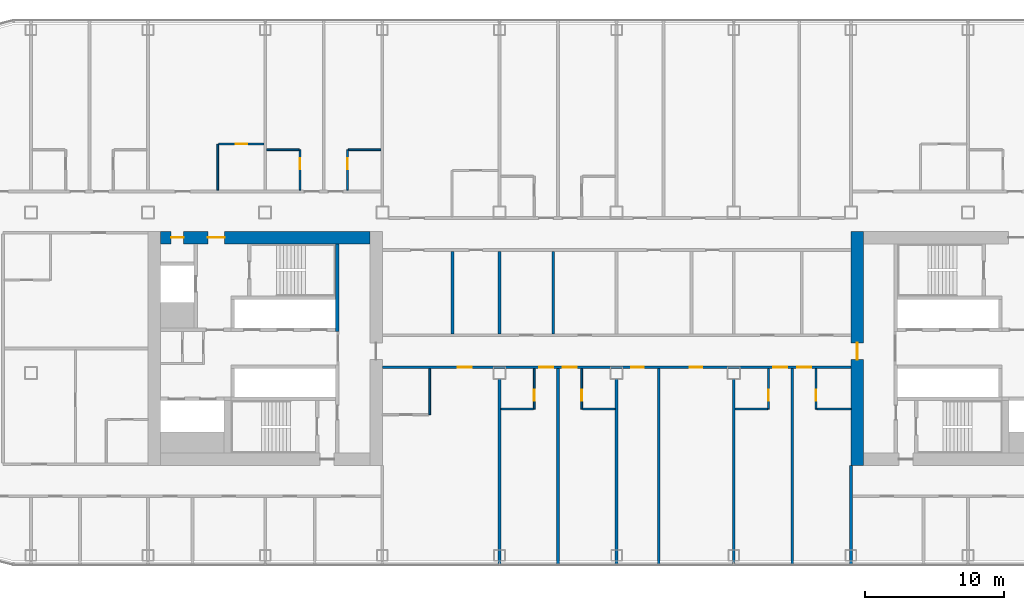
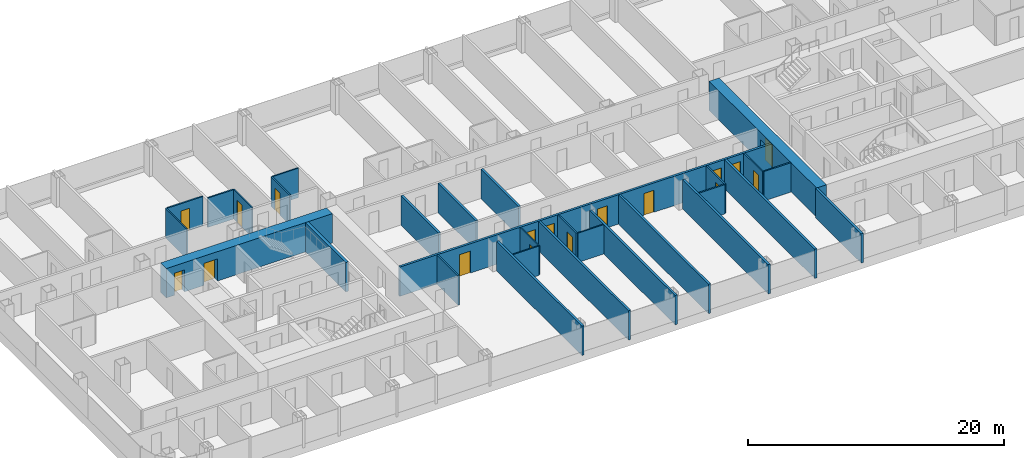
# One storey, part 17 of 29: 29 walls, 17 doors, 17 openings.
"""IFC4 building model written with IfcOpenShell, lengths in metres."""

from ifc_helpers import new_model, si_unit, direction, frame, frame_2d, origin, place, context, subcontext, project, spatial, rectangle, extrude, material, layer, layer_set, type_object, element, fill, save


model = new_model("IFC4")

# Units and contexts
model_context = context("Model", 3, precision=1e-05, world=origin(), true_north=direction((0.0, 1.0)))
body_context = subcontext(model_context, "Body", "Model", "MODEL_VIEW")
ifc_project = project(units=[si_unit("LENGTHUNIT", "METRE"), si_unit("AREAUNIT", "SQUARE_METRE"), si_unit("VOLUMEUNIT", "CUBIC_METRE"), si_unit("PLANEANGLEUNIT", "RADIAN"), si_unit("MASSUNIT", "GRAM", prefix="KILO")], contexts=[model_context])

# Site, building, storey
site_placement = place(None, origin())
site = spatial("IfcSite", under=ifc_project, at=site_placement, CompositionType="ELEMENT")
building_placement = place(site_placement, origin())
building = spatial("IfcBuilding", under=site, at=building_placement, Name="Hakoniwa Tower and Hamabe Station Hall", CompositionType="ELEMENT")
storey_placement = place(building_placement, frame((0.0, 0.0, 97.800048828125)))
storey = spatial("IfcBuildingStorey", under=building, at=storey_placement, Name="L27", CompositionType="ELEMENT", Elevation=97.800048828125)

# Walls
ifc_material_1 = material(Name="Gypsum board partition", Category="gypsum")
ifc_layer_1 = layer(ifc_material_1, 0.125)
ifc_layer_set_1 = layer_set([ifc_layer_1], Name="Bathroom Partition 125")
wall_type_1 = type_object("IfcWallType", Name="Bathroom Partition 125", PredefinedType="PARTITIONING", material=ifc_layer_set_1)
wall_1_placement = place(storey_placement, frame((-8.300048828125, -4.35009765625, 0.0), z_axis=(0.0, 0.0, 1.0), x_axis=(1.0, 0.0, 0.0)))
element("IfcWall", 1, at=wall_1_placement, inside=storey, type_object=wall_type_1, Name="GW-L27-008", PredefinedType="PARTITIONING", context=body_context, shape_type="SweptSolid", body=[
    extrude(rectangle(XDim=2.337646484375, YDim=0.125, at=frame_2d((1.1689453125, 0.0))), origin(), (0.0, 0.0, 1.0), 2.800048828125),
])
for number, where, z_axis, x_axis, name in (
    (2, (-2.4375, -4.35009765625, 0.0), (0.0, 0.0, 1.0), (1.0, 0.0, 0.0), "GW-L27-009"),
    (3, (8.5, -4.35009765625, 0.0), (0.0, 0.0, 1.0), (1.0, 0.0, 0.0), "GW-L27-010"),
):
    element("IfcWall", number, at=place(storey_placement, frame(where, z_axis=z_axis, x_axis=x_axis)), inside=storey, type_object=wall_type_1, Name=name, PredefinedType="PARTITIONING", context=body_context, shape_type="SweptSolid", body=[
        extrude(rectangle(XDim=2.33740234375, YDim=0.125, at=frame_2d((1.168701171875, 0.0))), origin(), (0.0, 0.0, 1.0), 2.800048828125),
    ])
wall_2_placement = place(storey_placement, frame((14.362548828125, -4.35009765625, 0.0), z_axis=(0.0, 0.0, 1.0), x_axis=(1.0, 0.0, 0.0)))
element("IfcWall", 4, at=wall_2_placement, inside=storey, type_object=wall_type_1, Name="GW-L27-011", PredefinedType="PARTITIONING", context=body_context, shape_type="SweptSolid", body=[
    extrude(rectangle(XDim=2.447509765625, YDim=0.125, at=frame_2d((1.2236328125, 0.0))), origin(), (0.0, 0.0, 1.0), 2.800048828125),
])
for number, where, z_axis, x_axis, name in (
    (5, (-25.10009765625, 14.25, 0.0), (0.0, 0.0, 1.0), (1.0, 0.0, 0.0), "GW-L27-029"),
    (6, (-19.237548828125, 14.25, 0.0), (0.0, 0.0, 1.0), (1.0, 0.0, 0.0), "GW-L27-030"),
):
    element("IfcWall", number, at=place(storey_placement, frame(where, z_axis=z_axis, x_axis=x_axis)), inside=storey, type_object=wall_type_1, Name=name, PredefinedType="PARTITIONING", context=body_context, shape_type="SweptSolid", body=[
        extrude(rectangle(XDim=2.337646484375, YDim=0.125, at=frame_2d((1.1689453125, 0.0))), origin(), (0.0, 0.0, 1.0), 2.800048828125),
    ])

# Wall, opening, door
wall_3_placement = place(storey_placement, frame((-28.53759765625, 14.64990234375, 0.0), z_axis=(0.0, 0.0, 1.0), x_axis=(1.0, 0.0, 0.0)))
wall_3 = element("IfcWall", 7, at=wall_3_placement, inside=storey, type_object=wall_type_1, Name="GW-L27-033", PredefinedType="PARTITIONING", context=body_context, shape_type="SweptSolid", body=[
    extrude(rectangle(XDim=3.237548828125, YDim=0.125, at=frame_2d((1.61865234375, 0.0))), origin(), (0.0, 0.0, 1.0), 2.800048828125),
])
opening_1_placement = place(wall_3_placement, frame((1.237548828125, 0.0, 0.0)))
opening_1 = element("IfcOpeningElement", 8, at=opening_1_placement, cuts=wall_3, Name="Opening GD-G2C1-58", PredefinedType="OPENING", context=body_context, shape_type="SweptSolid", body=[
    extrude(rectangle(XDim=0.800048828125, YDim=2.10009765625, at=frame_2d((0.39990234375, 1.050048828125))), frame((0.0, 0.072509765625, 0.0), z_axis=(0.0, -1.0, 0.0), x_axis=(1.0, 0.0, 0.0)), (0.0, 0.0, 1.0), 0.14501953125),
])
ifc_material_2 = material(Name="Timber door leaf", Category="wood")
door_type_1 = type_object("IfcDoorType", Name="Bathroom Door 800", OperationType="SINGLE_SWING_LEFT", PredefinedType="DOOR", material=ifc_material_2)
door_1_placement = place(opening_1_placement, origin())
door_1 = element("IfcDoor", 9, at=door_1_placement, inside=storey, type_object=door_type_1, Name="Door GD-G2C1-58", OperationType="SINGLE_SWING_LEFT", OverallHeight=2.10009765625, OverallWidth=0.800048828125, PredefinedType="DOOR", context=body_context, shape_type="SweptSolid", body=[
    extrude(rectangle(XDim=0.800048828125, YDim=2.10009765625, at=frame_2d((0.39990234375, 1.050048828125))), frame((0.0, 0.02490234375, 0.0), z_axis=(0.0, -1.0, 0.0), x_axis=(1.0, 0.0, 0.0)), (0.0, 0.0, 1.0), 0.050048828125),
])
fill(opening_1, door_1)

# Wall
wall_4_placement = place(storey_placement, frame((-28.60009765625, 11.35009765625, 0.0), z_axis=(0.0, 0.0, 1.0), x_axis=(0.0, 1.0, 0.0)))
element("IfcWall", 10, at=wall_4_placement, inside=storey, type_object=wall_type_1, Name="GW-L27-049", PredefinedType="PARTITIONING", context=body_context, shape_type="SweptSolid", body=[
    extrude(rectangle(XDim=3.2998046875, YDim=0.125, at=frame_2d((1.64990234375, 0.0))), origin(), (0.0, 0.0, 1.0), 2.800048828125),
])

# Wall, opening, door
wall_5_placement = place(storey_placement, frame((-22.699951171875, 11.35009765625, 0.0), z_axis=(0.0, 0.0, 1.0), x_axis=(0.0, 1.0, 0.0)))
wall_5 = element("IfcWall", 11, at=wall_5_placement, inside=storey, type_object=wall_type_1, Name="GW-L27-052", PredefinedType="PARTITIONING", context=body_context, shape_type="SweptSolid", body=[
    extrude(rectangle(XDim=2.89990234375, YDim=0.125, at=frame_2d((1.449951171875, 0.0))), origin(), (0.0, 0.0, 1.0), 2.800048828125),
])
opening_2_placement = place(wall_5_placement, frame((1.5, 0.0, 0.0)))
opening_2 = element("IfcOpeningElement", 12, at=opening_2_placement, cuts=wall_5, Name="Opening GD-G2C1-64", PredefinedType="OPENING", context=body_context, shape_type="SweptSolid", body=[
    extrude(rectangle(XDim=0.800048828125, YDim=2.10009765625, at=frame_2d((0.39990234375, 1.050048828125))), frame((0.0, 0.072509765625, 0.0), z_axis=(0.0, -1.0, 0.0), x_axis=(1.0, 0.0, 0.0)), (0.0, 0.0, 1.0), 0.14501953125),
])
door_2_placement = place(opening_2_placement, origin())
door_2 = element("IfcDoor", 13, at=door_2_placement, inside=storey, type_object=door_type_1, Name="Door GD-G2C1-64", OperationType="SINGLE_SWING_LEFT", OverallHeight=2.10009765625, OverallWidth=0.800048828125, PredefinedType="DOOR", context=body_context, shape_type="SweptSolid", body=[
    extrude(rectangle(XDim=0.800048828125, YDim=2.10009765625, at=frame_2d((0.39990234375, 1.050048828125))), frame((0.0, 0.02490234375, 0.0), z_axis=(0.0, -1.0, 0.0), x_axis=(1.0, 0.0, 0.0)), (0.0, 0.0, 1.0), 0.050048828125),
])
fill(opening_2, door_2)

wall_6_placement = place(storey_placement, frame((-19.300048828125, 11.35009765625, 0.0), z_axis=(0.0, 0.0, 1.0), x_axis=(0.0, 1.0, 0.0)))
wall_6 = element("IfcWall", 14, at=wall_6_placement, inside=storey, type_object=wall_type_1, Name="GW-L27-055", PredefinedType="PARTITIONING", context=body_context, shape_type="SweptSolid", body=[
    extrude(rectangle(XDim=2.89990234375, YDim=0.125, at=frame_2d((1.449951171875, 0.0))), origin(), (0.0, 0.0, 1.0), 2.800048828125),
])
opening_3_placement = place(wall_6_placement, frame((1.5, 0.0, 0.0)))
opening_3 = element("IfcOpeningElement", 15, at=opening_3_placement, cuts=wall_6, Name="Opening GD-G2C1-65", PredefinedType="OPENING", context=body_context, shape_type="SweptSolid", body=[
    extrude(rectangle(XDim=0.800048828125, YDim=2.10009765625, at=frame_2d((0.39990234375, 1.050048828125))), frame((0.0, 0.072509765625, 0.0), z_axis=(0.0, -1.0, 0.0), x_axis=(1.0, 0.0, 0.0)), (0.0, 0.0, 1.0), 0.14501953125),
])
door_3_placement = place(opening_3_placement, origin())
door_3 = element("IfcDoor", 16, at=door_3_placement, inside=storey, type_object=door_type_1, Name="Door GD-G2C1-65", OperationType="SINGLE_SWING_RIGHT", OverallHeight=2.10009765625, OverallWidth=0.800048828125, PredefinedType="DOOR", context=body_context, shape_type="SweptSolid", body=[
    extrude(rectangle(XDim=0.800048828125, YDim=2.10009765625, at=frame_2d((0.39990234375, 1.050048828125))), frame((0.0, 0.02490234375, 0.0), z_axis=(0.0, -1.0, 0.0), x_axis=(1.0, 0.0, 0.0)), (0.0, 0.0, 1.0), 0.050048828125),
])
fill(opening_3, door_3)

# Wall
wall_7_placement = place(storey_placement, frame((-13.39990234375, -4.75, 0.0), z_axis=(0.0, 0.0, 1.0), x_axis=(0.0, 1.0, 0.0)))
element("IfcWall", 17, at=wall_7_placement, inside=storey, type_object=wall_type_1, Name="GW-L27-058", PredefinedType="PARTITIONING", context=body_context, shape_type="SweptSolid", body=[
    extrude(rectangle(XDim=3.300048828125, YDim=0.125, at=frame_2d((1.64990234375, 0.0))), origin(), (0.0, 0.0, 1.0), 2.800048828125),
])

# Wall, opening, door
wall_8_placement = place(storey_placement, frame((-5.89990234375, -4.35009765625, 0.0), z_axis=(0.0, 0.0, 1.0), x_axis=(0.0, 1.0, 0.0)))
wall_8 = element("IfcWall", 18, at=wall_8_placement, inside=storey, type_object=wall_type_1, Name="GW-L27-064", PredefinedType="PARTITIONING", context=body_context, shape_type="SweptSolid", body=[
    extrude(rectangle(XDim=2.900146484375, YDim=0.125, at=frame_2d((1.4501953125, 0.0))), origin(), (0.0, 0.0, 1.0), 2.800048828125),
])
opening_4_placement = place(wall_8_placement, frame((0.60009765625, 0.0, 0.0)))
opening_4 = element("IfcOpeningElement", 19, at=opening_4_placement, cuts=wall_8, Name="Opening GD-G2C1-66", PredefinedType="OPENING", context=body_context, shape_type="SweptSolid", body=[
    extrude(rectangle(XDim=0.800048828125, YDim=2.10009765625, at=frame_2d((0.39990234375, 1.050048828125))), frame((0.0, 0.072509765625, 0.0), z_axis=(0.0, -1.0, 0.0), x_axis=(1.0, 0.0, 0.0)), (0.0, 0.0, 1.0), 0.14501953125),
])
door_4_placement = place(opening_4_placement, origin())
door_4 = element("IfcDoor", 20, at=door_4_placement, inside=storey, type_object=door_type_1, Name="Door GD-G2C1-66", OperationType="SINGLE_SWING_RIGHT", OverallHeight=2.10009765625, OverallWidth=0.800048828125, PredefinedType="DOOR", context=body_context, shape_type="SweptSolid", body=[
    extrude(rectangle(XDim=0.800048828125, YDim=2.10009765625, at=frame_2d((0.39990234375, 1.050048828125))), frame((0.0, 0.02490234375, 0.0), z_axis=(0.0, -1.0, 0.0), x_axis=(1.0, 0.0, 0.0)), (0.0, 0.0, 1.0), 0.050048828125),
])
fill(opening_4, door_4)

wall_9_placement = place(storey_placement, frame((-2.5, -4.35009765625, 0.0), z_axis=(0.0, 0.0, 1.0), x_axis=(0.0, 1.0, 0.0)))
wall_9 = element("IfcWall", 21, at=wall_9_placement, inside=storey, type_object=wall_type_1, Name="GW-L27-069", PredefinedType="PARTITIONING", context=body_context, shape_type="SweptSolid", body=[
    extrude(rectangle(XDim=2.900146484375, YDim=0.125, at=frame_2d((1.4501953125, 0.0))), origin(), (0.0, 0.0, 1.0), 2.800048828125),
])
opening_5_placement = place(wall_9_placement, frame((0.60009765625, 0.0, 0.0)))
opening_5 = element("IfcOpeningElement", 22, at=opening_5_placement, cuts=wall_9, Name="Opening GD-G2C1-68", PredefinedType="OPENING", context=body_context, shape_type="SweptSolid", body=[
    extrude(rectangle(XDim=0.800048828125, YDim=2.10009765625, at=frame_2d((0.39990234375, 1.050048828125))), frame((0.0, 0.072509765625, 0.0), z_axis=(0.0, -1.0, 0.0), x_axis=(1.0, 0.0, 0.0)), (0.0, 0.0, 1.0), 0.14501953125),
])
door_5_placement = place(opening_5_placement, origin())
door_5 = element("IfcDoor", 23, at=door_5_placement, inside=storey, type_object=door_type_1, Name="Door GD-G2C1-68", OperationType="SINGLE_SWING_LEFT", OverallHeight=2.10009765625, OverallWidth=0.800048828125, PredefinedType="DOOR", context=body_context, shape_type="SweptSolid", body=[
    extrude(rectangle(XDim=0.800048828125, YDim=2.10009765625, at=frame_2d((0.39990234375, 1.050048828125))), frame((0.0, 0.02490234375, 0.0), z_axis=(0.0, -1.0, 0.0), x_axis=(1.0, 0.0, 0.0)), (0.0, 0.0, 1.0), 0.050048828125),
])
fill(opening_5, door_5)

wall_10_placement = place(storey_placement, frame((10.89990234375, -4.35009765625, 0.0), z_axis=(0.0, 0.0, 1.0), x_axis=(0.0, 1.0, 0.0)))
wall_10 = element("IfcWall", 24, at=wall_10_placement, inside=storey, type_object=wall_type_1, Name="GW-L27-080", PredefinedType="PARTITIONING", context=body_context, shape_type="SweptSolid", body=[
    extrude(rectangle(XDim=2.900146484375, YDim=0.125, at=frame_2d((1.4501953125, 0.0))), origin(), (0.0, 0.0, 1.0), 2.800048828125),
])
opening_6_placement = place(wall_10_placement, frame((0.60009765625, 0.0, 0.0)))
opening_6 = element("IfcOpeningElement", 25, at=opening_6_placement, cuts=wall_10, Name="Opening GD-G2C1-70", PredefinedType="OPENING", context=body_context, shape_type="SweptSolid", body=[
    extrude(rectangle(XDim=0.800048828125, YDim=2.10009765625, at=frame_2d((0.39990234375, 1.050048828125))), frame((0.0, 0.072509765625, 0.0), z_axis=(0.0, -1.0, 0.0), x_axis=(1.0, 0.0, 0.0)), (0.0, 0.0, 1.0), 0.14501953125),
])
door_6_placement = place(opening_6_placement, origin())
door_6 = element("IfcDoor", 26, at=door_6_placement, inside=storey, type_object=door_type_1, Name="Door GD-G2C1-70", OperationType="SINGLE_SWING_RIGHT", OverallHeight=2.10009765625, OverallWidth=0.800048828125, PredefinedType="DOOR", context=body_context, shape_type="SweptSolid", body=[
    extrude(rectangle(XDim=0.800048828125, YDim=2.10009765625, at=frame_2d((0.39990234375, 1.050048828125))), frame((0.0, 0.02490234375, 0.0), z_axis=(0.0, -1.0, 0.0), x_axis=(1.0, 0.0, 0.0)), (0.0, 0.0, 1.0), 0.050048828125),
])
fill(opening_6, door_6)

wall_11_placement = place(storey_placement, frame((14.300048828125, -4.35009765625, 0.0), z_axis=(0.0, 0.0, 1.0), x_axis=(0.0, 1.0, 0.0)))
wall_11 = element("IfcWall", 27, at=wall_11_placement, inside=storey, type_object=wall_type_1, Name="GW-L27-084", PredefinedType="PARTITIONING", context=body_context, shape_type="SweptSolid", body=[
    extrude(rectangle(XDim=2.900146484375, YDim=0.125, at=frame_2d((1.4501953125, 0.0))), origin(), (0.0, 0.0, 1.0), 2.800048828125),
])
opening_7_placement = place(wall_11_placement, frame((0.60009765625, 0.0, 0.0)))
opening_7 = element("IfcOpeningElement", 28, at=opening_7_placement, cuts=wall_11, Name="Opening GD-G2C1-71", PredefinedType="OPENING", context=body_context, shape_type="SweptSolid", body=[
    extrude(rectangle(XDim=0.800048828125, YDim=2.10009765625, at=frame_2d((0.39990234375, 1.050048828125))), frame((0.0, 0.072509765625, 0.0), z_axis=(0.0, -1.0, 0.0), x_axis=(1.0, 0.0, 0.0)), (0.0, 0.0, 1.0), 0.14501953125),
])
door_7_placement = place(opening_7_placement, origin())
door_7 = element("IfcDoor", 29, at=door_7_placement, inside=storey, type_object=door_type_1, Name="Door GD-G2C1-71", OperationType="SINGLE_SWING_LEFT", OverallHeight=2.10009765625, OverallWidth=0.800048828125, PredefinedType="DOOR", context=body_context, shape_type="SweptSolid", body=[
    extrude(rectangle(XDim=0.800048828125, YDim=2.10009765625, at=frame_2d((0.39990234375, 1.050048828125))), frame((0.0, 0.02490234375, 0.0), z_axis=(0.0, -1.0, 0.0), x_axis=(1.0, 0.0, 0.0)), (0.0, 0.0, 1.0), 0.050048828125),
])
fill(opening_7, door_7)

# Wall, openings, doors
ifc_material_3 = material(Name="Concrete C72", Category="concrete")
ifc_layer_2 = layer(ifc_material_3, 0.89990234375)
ifc_layer_set_2 = layer_set([ifc_layer_2], Name="CORE WALL 900 C72")
wall_type_2 = type_object("IfcWallType", Name="CORE WALL 900 C72", PredefinedType="SHEAR", material=ifc_layer_set_2)
wall_12_placement = place(storey_placement, frame((-32.699951171875, 7.949951171875, 0.0), z_axis=(0.0, 0.0, 1.0), x_axis=(1.0, 0.0, 0.0)))
wall_12 = element("IfcWall", 30, at=wall_12_placement, inside=storey, type_object=wall_type_2, Name="Core wall NORTH west", PredefinedType="SHEAR", context=body_context, shape_type="SweptSolid", body=[
    extrude(rectangle(XDim=15.0, YDim=0.89990234375, at=frame_2d((7.5, 0.0))), origin(), (0.0, 0.0, 1.0), 2.800048828125),
])
opening_8_placement = place(wall_12_placement, frame((3.39990234375, 0.0, 0.0)))
opening_8 = element("IfcOpeningElement", 31, at=opening_8_placement, cuts=wall_12, Name="Opening CD-W-FN1-12", PredefinedType="OPENING", context=body_context, shape_type="SweptSolid", body=[
    extrude(rectangle(XDim=1.199951171875, YDim=2.10009765625, at=frame_2d((0.60009765625, 1.050048828125))), frame((0.0, 0.4599609375, 0.0), z_axis=(0.0, -1.0, 0.0), x_axis=(1.0, 0.0, 0.0)), (0.0, 0.0, 1.0), 0.919921875),
])
opening_9_placement = place(wall_12_placement, frame((0.75, 0.0, 0.0)))
opening_9 = element("IfcOpeningElement", 32, at=opening_9_placement, cuts=wall_12, Name="Opening CD-W-FN2-9", PredefinedType="OPENING", context=body_context, shape_type="SweptSolid", body=[
    extrude(rectangle(XDim=0.89990234375, YDim=2.10009765625, at=frame_2d((0.449951171875, 1.050048828125))), frame((0.0, 0.4599609375, 0.0), z_axis=(0.0, -1.0, 0.0), x_axis=(1.0, 0.0, 0.0)), (0.0, 0.0, 1.0), 0.919921875),
])
ifc_material_4 = material(Name="Steel fire door", Category="steel")
door_type_2 = type_object("IfcDoorType", Name="CORE DOOR 1200 FD60", OperationType="DOUBLE_DOOR_SINGLE_SWING", PredefinedType="DOOR", material=ifc_material_4)
door_8_placement = place(opening_8_placement, origin())
door_8 = element("IfcDoor", 33, at=door_8_placement, inside=storey, type_object=door_type_2, Name="Stair vestibule door to the fire-fighting lobby", OperationType="DOUBLE_DOOR_SINGLE_SWING", OverallHeight=2.10009765625, OverallWidth=1.199951171875, PredefinedType="DOOR", context=body_context, shape_type="SweptSolid", body=[
    extrude(rectangle(XDim=1.199951171875, YDim=2.10009765625, at=frame_2d((0.60009765625, 1.050048828125))), frame((0.0, 0.02490234375, 0.0), z_axis=(0.0, -1.0, 0.0), x_axis=(1.0, 0.0, 0.0)), (0.0, 0.0, 1.0), 0.050048828125),
])
fill(opening_8, door_8)
ifc_material_5 = material(Name="Steel fire door", Category="steel")
door_type_3 = type_object("IfcDoorType", Name="CORE DOOR 900 FD30", OperationType="NOTDEFINED", PredefinedType="DOOR", material=ifc_material_5)
door_9_placement = place(opening_9_placement, origin())
door_9 = element("IfcDoor", 34, at=door_9_placement, inside=storey, type_object=door_type_3, Name="Riser access door", OperationType="SINGLE_SWING_LEFT", OverallHeight=2.10009765625, OverallWidth=0.89990234375, PredefinedType="DOOR", context=body_context, shape_type="SweptSolid", body=[
    extrude(rectangle(XDim=0.89990234375, YDim=2.10009765625, at=frame_2d((0.449951171875, 1.050048828125))), frame((0.0, 0.02490234375, 0.0), z_axis=(0.0, -1.0, 0.0), x_axis=(1.0, 0.0, 0.0)), (0.0, 0.0, 1.0), 0.050048828125),
])
fill(opening_9, door_9)

# Wall, opening, door
wall_13_placement = place(storey_placement, frame((17.25, -8.39990234375, 0.0), z_axis=(0.0, 0.0, 1.0), x_axis=(0.0, 1.0, 0.0)))
wall_13 = element("IfcWall", 35, at=wall_13_placement, inside=storey, type_object=wall_type_2, Name="Core wall INNER east", PredefinedType="SHEAR", context=body_context, shape_type="SweptSolid", body=[
    extrude(rectangle(XDim=16.7998046875, YDim=0.89990234375, at=frame_2d((8.39990234375, 0.0))), origin(), (0.0, 0.0, 1.0), 2.800048828125),
])
opening_10_placement = place(wall_13_placement, frame((7.60009765625, 0.0, 0.0)))
opening_10 = element("IfcOpeningElement", 36, at=opening_10_placement, cuts=wall_13, Name="Opening CD-E-IN1-12", PredefinedType="OPENING", context=body_context, shape_type="SweptSolid", body=[
    extrude(rectangle(XDim=1.199951171875, YDim=2.10009765625, at=frame_2d((0.60009765625, 1.050048828125))), frame((0.0, 0.4599609375, 0.0), z_axis=(0.0, -1.0, 0.0), x_axis=(1.0, 0.0, 0.0)), (0.0, 0.0, 1.0), 0.919921875),
])
door_10_placement = place(opening_10_placement, origin())
door_10 = element("IfcDoor", 37, at=door_10_placement, inside=storey, type_object=door_type_2, Name="Lift lobby door", OperationType="DOUBLE_DOOR_SINGLE_SWING", OverallHeight=2.10009765625, OverallWidth=1.199951171875, PredefinedType="DOOR", context=body_context, shape_type="SweptSolid", body=[
    extrude(rectangle(XDim=1.199951171875, YDim=2.10009765625, at=frame_2d((0.60009765625, 1.050048828125))), frame((0.0, 0.02490234375, 0.0), z_axis=(0.0, -1.0, 0.0), x_axis=(1.0, 0.0, 0.0)), (0.0, 0.0, 1.0), 0.050048828125),
])
fill(opening_10, door_10)

# Wall
ifc_material_6 = material(Name="Concrete C72", Category="concrete")
ifc_layer_3 = layer(ifc_material_6, 0.25)
ifc_layer_set_3 = layer_set([ifc_layer_3], Name="CORE WEB WALL 250 C72")
wall_type_3 = type_object("IfcWallType", Name="CORE WEB WALL 250 C72", PredefinedType="SHEAR", material=ifc_layer_set_3)
wall_14_placement = place(storey_placement, frame((-20.02490234375, 1.199951171875, 0.0), z_axis=(0.0, 0.0, 1.0), x_axis=(0.0, 1.0, 0.0)))
element("IfcWall", 38, at=wall_14_placement, inside=storey, type_object=wall_type_3, Name="Core wall W1N west", PredefinedType="SHEAR", context=body_context, shape_type="SweptSolid", body=[
    extrude(rectangle(XDim=6.300048828125, YDim=0.25, at=frame_2d((3.14990234375, 0.0))), origin(), (0.0, 0.0, 1.0), 2.800048828125),
])

# Wall, openings, doors
ifc_material_7 = material(Name="Fire-rated gypsum board partition", Category="gypsum")
ifc_layer_4 = layer(ifc_material_7, 0.199951171875)
ifc_layer_set_4 = layer_set([ifc_layer_4], Name="Corridor Wall 200")
wall_type_4 = type_object("IfcWallType", Name="Corridor Wall 200", PredefinedType="PARTITIONING", material=ifc_layer_set_4)
wall_15_placement = place(storey_placement, frame((-16.800048828125, -1.35009765625, 0.0), z_axis=(0.0, 0.0, 1.0), x_axis=(1.0, 0.0, 0.0)))
wall_15 = element("IfcWall", 39, at=wall_15_placement, inside=storey, type_object=wall_type_4, Name="GW-L27-012", PredefinedType="PARTITIONING", context=body_context, shape_type="SweptSolid", body=[
    extrude(rectangle(XDim=33.60009765625, YDim=0.199951171875, at=frame_2d((16.800048828125, 0.0))), origin(), (0.0, 0.0, 1.0), 2.800048828125),
])
opening_11_placement = place(wall_15_placement, frame((5.39990234375, 0.0, 0.0)))
opening_11 = element("IfcOpeningElement", 40, at=opening_11_placement, cuts=wall_15, Name="Opening GD-G2C1-20", PredefinedType="OPENING", context=body_context, shape_type="SweptSolid", body=[
    extrude(rectangle(XDim=1.0, YDim=2.10009765625, at=frame_2d((0.5, 1.050048828125))), frame((0.0, 0.10986328125, 0.0), z_axis=(0.0, -1.0, 0.0), x_axis=(1.0, 0.0, 0.0)), (0.0, 0.0, 1.0), 0.219970703125),
])
opening_12_placement = place(wall_15_placement, frame((11.25, 0.0, 0.0)))
opening_12 = element("IfcOpeningElement", 41, at=opening_12_placement, cuts=wall_15, Name="Opening GD-G2C1-21", PredefinedType="OPENING", context=body_context, shape_type="SweptSolid", body=[
    extrude(rectangle(XDim=1.0, YDim=2.10009765625, at=frame_2d((0.5, 1.050048828125))), frame((0.0, 0.10986328125, 0.0), z_axis=(0.0, -1.0, 0.0), x_axis=(1.0, 0.0, 0.0)), (0.0, 0.0, 1.0), 0.219970703125),
])
opening_13_placement = place(wall_15_placement, frame((12.949951171875, 0.0, 0.0)))
opening_13 = element("IfcOpeningElement", 42, at=opening_13_placement, cuts=wall_15, Name="Opening GD-G2C1-22", PredefinedType="OPENING", context=body_context, shape_type="SweptSolid", body=[
    extrude(rectangle(XDim=1.0, YDim=2.10009765625, at=frame_2d((0.5, 1.050048828125))), frame((0.0, 0.10986328125, 0.0), z_axis=(0.0, -1.0, 0.0), x_axis=(1.0, 0.0, 0.0)), (0.0, 0.0, 1.0), 0.219970703125),
])
opening_14_placement = place(wall_15_placement, frame((17.860107421875, 0.0, 0.0)))
opening_14 = element("IfcOpeningElement", 43, at=opening_14_placement, cuts=wall_15, Name="Opening GD-G2C1-23", PredefinedType="OPENING", context=body_context, shape_type="SweptSolid", body=[
    extrude(rectangle(XDim=0.89990234375, YDim=2.10009765625, at=frame_2d((0.449951171875, 1.050048828125))), frame((0.0, 0.10986328125, 0.0), z_axis=(0.0, -1.0, 0.0), x_axis=(1.0, 0.0, 0.0)), (0.0, 0.0, 1.0), 0.219970703125),
])
opening_15_placement = place(wall_15_placement, frame((22.06005859375, 0.0, 0.0)))
opening_15 = element("IfcOpeningElement", 44, at=opening_15_placement, cuts=wall_15, Name="Opening GD-G2C1-24", PredefinedType="OPENING", context=body_context, shape_type="SweptSolid", body=[
    extrude(rectangle(XDim=0.89990234375, YDim=2.10009765625, at=frame_2d((0.449951171875, 1.050048828125))), frame((0.0, 0.10986328125, 0.0), z_axis=(0.0, -1.0, 0.0), x_axis=(1.0, 0.0, 0.0)), (0.0, 0.0, 1.0), 0.219970703125),
])
opening_16_placement = place(wall_15_placement, frame((28.050048828125, 0.0, 0.0)))
opening_16 = element("IfcOpeningElement", 45, at=opening_16_placement, cuts=wall_15, Name="Opening GD-G2C1-25", PredefinedType="OPENING", context=body_context, shape_type="SweptSolid", body=[
    extrude(rectangle(XDim=1.0, YDim=2.10009765625, at=frame_2d((0.5, 1.050048828125))), frame((0.0, 0.10986328125, 0.0), z_axis=(0.0, -1.0, 0.0), x_axis=(1.0, 0.0, 0.0)), (0.0, 0.0, 1.0), 0.219970703125),
])
opening_17_placement = place(wall_15_placement, frame((29.75, 0.0, 0.0)))
opening_17 = element("IfcOpeningElement", 46, at=opening_17_placement, cuts=wall_15, Name="Opening GD-G2C1-26", PredefinedType="OPENING", context=body_context, shape_type="SweptSolid", body=[
    extrude(rectangle(XDim=1.0, YDim=2.10009765625, at=frame_2d((0.5, 1.050048828125))), frame((0.0, 0.10986328125, 0.0), z_axis=(0.0, -1.0, 0.0), x_axis=(1.0, 0.0, 0.0)), (0.0, 0.0, 1.0), 0.219970703125),
])
ifc_material_8 = material(Name="Timber door leaf", Category="wood")
door_type_4 = type_object("IfcDoorType", Name="Guest Entrance Door 1000", OperationType="SINGLE_SWING_LEFT", PredefinedType="DOOR", material=ifc_material_8)
door_11_placement = place(opening_11_placement, origin())
door_11 = element("IfcDoor", 47, at=door_11_placement, inside=storey, type_object=door_type_4, Name="Door GD-G2C1-20", OperationType="SINGLE_SWING_RIGHT", OverallHeight=2.10009765625, OverallWidth=1.0, PredefinedType="DOOR", context=body_context, shape_type="SweptSolid", body=[
    extrude(rectangle(XDim=1.0, YDim=2.10009765625, at=frame_2d((0.5, 1.050048828125))), frame((0.0, 0.02490234375, 0.0), z_axis=(0.0, -1.0, 0.0), x_axis=(1.0, 0.0, 0.0)), (0.0, 0.0, 1.0), 0.050048828125),
])
fill(opening_11, door_11)
door_12_placement = place(opening_12_placement, origin())
door_12 = element("IfcDoor", 48, at=door_12_placement, inside=storey, type_object=door_type_4, Name="Door GD-G2C1-21", OperationType="SINGLE_SWING_LEFT", OverallHeight=2.10009765625, OverallWidth=1.0, PredefinedType="DOOR", context=body_context, shape_type="SweptSolid", body=[
    extrude(rectangle(XDim=1.0, YDim=2.10009765625, at=frame_2d((0.5, 1.050048828125))), frame((0.0, 0.02490234375, 0.0), z_axis=(0.0, -1.0, 0.0), x_axis=(1.0, 0.0, 0.0)), (0.0, 0.0, 1.0), 0.050048828125),
])
fill(opening_12, door_12)
door_13_placement = place(opening_13_placement, origin())
door_13 = element("IfcDoor", 49, at=door_13_placement, inside=storey, type_object=door_type_4, Name="Door GD-G2C1-22", OperationType="SINGLE_SWING_RIGHT", OverallHeight=2.10009765625, OverallWidth=1.0, PredefinedType="DOOR", context=body_context, shape_type="SweptSolid", body=[
    extrude(rectangle(XDim=1.0, YDim=2.10009765625, at=frame_2d((0.5, 1.050048828125))), frame((0.0, 0.02490234375, 0.0), z_axis=(0.0, -1.0, 0.0), x_axis=(1.0, 0.0, 0.0)), (0.0, 0.0, 1.0), 0.050048828125),
])
fill(opening_13, door_13)
door_14_placement = place(opening_16_placement, origin())
door_14 = element("IfcDoor", 50, at=door_14_placement, inside=storey, type_object=door_type_4, Name="Door GD-G2C1-25", OperationType="SINGLE_SWING_LEFT", OverallHeight=2.10009765625, OverallWidth=1.0, PredefinedType="DOOR", context=body_context, shape_type="SweptSolid", body=[
    extrude(rectangle(XDim=1.0, YDim=2.10009765625, at=frame_2d((0.5, 1.050048828125))), frame((0.0, 0.02490234375, 0.0), z_axis=(0.0, -1.0, 0.0), x_axis=(1.0, 0.0, 0.0)), (0.0, 0.0, 1.0), 0.050048828125),
])
fill(opening_16, door_14)
door_15_placement = place(opening_17_placement, origin())
door_15 = element("IfcDoor", 51, at=door_15_placement, inside=storey, type_object=door_type_4, Name="Door GD-G2C1-26", OperationType="SINGLE_SWING_RIGHT", OverallHeight=2.10009765625, OverallWidth=1.0, PredefinedType="DOOR", context=body_context, shape_type="SweptSolid", body=[
    extrude(rectangle(XDim=1.0, YDim=2.10009765625, at=frame_2d((0.5, 1.050048828125))), frame((0.0, 0.02490234375, 0.0), z_axis=(0.0, -1.0, 0.0), x_axis=(1.0, 0.0, 0.0)), (0.0, 0.0, 1.0), 0.050048828125),
])
fill(opening_17, door_15)
ifc_material_9 = material(Name="Timber door leaf", Category="wood")
door_type_5 = type_object("IfcDoorType", Name="Service Door 900", OperationType="SINGLE_SWING_LEFT", PredefinedType="DOOR", material=ifc_material_9)
door_16_placement = place(opening_14_placement, origin())
door_16 = element("IfcDoor", 52, at=door_16_placement, inside=storey, type_object=door_type_5, Name="Door GD-G2C1-23", OperationType="SINGLE_SWING_RIGHT", OverallHeight=2.10009765625, OverallWidth=0.89990234375, PredefinedType="DOOR", context=body_context, shape_type="SweptSolid", body=[
    extrude(rectangle(XDim=0.89990234375, YDim=2.10009765625, at=frame_2d((0.449951171875, 1.050048828125))), frame((0.0, 0.02490234375, 0.0), z_axis=(0.0, -1.0, 0.0), x_axis=(1.0, 0.0, 0.0)), (0.0, 0.0, 1.0), 0.050048828125),
])
fill(opening_14, door_16)
door_17_placement = place(opening_15_placement, origin())
door_17 = element("IfcDoor", 53, at=door_17_placement, inside=storey, type_object=door_type_5, Name="Door GD-G2C1-24", OperationType="SINGLE_SWING_RIGHT", OverallHeight=2.10009765625, OverallWidth=0.89990234375, PredefinedType="DOOR", context=body_context, shape_type="SweptSolid", body=[
    extrude(rectangle(XDim=0.89990234375, YDim=2.10009765625, at=frame_2d((0.449951171875, 1.050048828125))), frame((0.0, 0.02490234375, 0.0), z_axis=(0.0, -1.0, 0.0), x_axis=(1.0, 0.0, 0.0)), (0.0, 0.0, 1.0), 0.050048828125),
])
fill(opening_15, door_17)

# Walls
ifc_material_10 = material(Name="Fire-rated gypsum board partition", Category="gypsum")
ifc_layer_5 = layer(ifc_material_10, 0.199951171875)
ifc_layer_set_5 = layer_set([ifc_layer_5], Name="Party Wall 200")
wall_type_5 = type_object("IfcWallType", Name="Party Wall 200", PredefinedType="PARTITIONING", material=ifc_layer_set_5)
wall_16_placement = place(storey_placement, frame((-11.760009765625, 1.050048828125, 0.0), z_axis=(0.0, 0.0, 1.0), x_axis=(0.0, 1.0, 0.0)))
element("IfcWall", 54, at=wall_16_placement, inside=storey, type_object=wall_type_5, Name="GW-L27-060", PredefinedType="PARTITIONING", context=body_context, shape_type="SweptSolid", body=[
    extrude(rectangle(XDim=5.89990234375, YDim=0.199951171875, at=frame_2d((2.949951171875, 0.0))), origin(), (0.0, 0.0, 1.0), 2.800048828125),
])
wall_17_placement = place(storey_placement, frame((-8.39990234375, -15.550048828125, 0.0), z_axis=(0.0, 0.0, 1.0), x_axis=(0.0, 1.0, 0.0)))
element("IfcWall", 55, at=wall_17_placement, inside=storey, type_object=wall_type_5, Name="GW-L27-061", PredefinedType="PARTITIONING", context=body_context, shape_type="SweptSolid", body=[
    extrude(rectangle(XDim=13.360107421875, YDim=0.199951171875, at=frame_2d((6.68017578125, 0.0))), origin(), (0.0, 0.0, 1.0), 2.800048828125),
])
for number, where, z_axis, x_axis, name in (
    (56, (-8.39990234375, 1.050048828125, 0.0), (0.0, 0.0, 1.0), (0.0, 1.0, 0.0), "GW-L27-062"),
    (57, (-4.5400390625, 1.050048828125, 0.0), (0.0, 0.0, 1.0), (0.0, 1.0, 0.0), "GW-L27-066"),
):
    element("IfcWall", number, at=place(storey_placement, frame(where, z_axis=z_axis, x_axis=x_axis)), inside=storey, type_object=wall_type_5, Name=name, PredefinedType="PARTITIONING", context=body_context, shape_type="SweptSolid", body=[
        extrude(rectangle(XDim=5.89990234375, YDim=0.199951171875, at=frame_2d((2.949951171875, 0.0))), origin(), (0.0, 0.0, 1.0), 2.800048828125),
    ])
wall_18_placement = place(storey_placement, frame((-4.199951171875, -15.550048828125, 0.0), z_axis=(0.0, 0.0, 1.0), x_axis=(0.0, 1.0, 0.0)))
element("IfcWall", 58, at=wall_18_placement, inside=storey, type_object=wall_type_5, Name="GW-L27-067", PredefinedType="PARTITIONING", context=body_context, shape_type="SweptSolid", body=[
    extrude(rectangle(XDim=14.10009765625, YDim=0.199951171875, at=frame_2d((7.050048828125, 0.0))), origin(), (0.0, 0.0, 1.0), 2.800048828125),
])
wall_19_placement = place(storey_placement, frame((0.0, -15.550048828125, 0.0), z_axis=(0.0, 0.0, 1.0), x_axis=(0.0, 1.0, 0.0)))
element("IfcWall", 59, at=wall_19_placement, inside=storey, type_object=wall_type_5, Name="GW-L27-071", PredefinedType="PARTITIONING", context=body_context, shape_type="SweptSolid", body=[
    extrude(rectangle(XDim=13.360107421875, YDim=0.199951171875, at=frame_2d((6.68017578125, 0.0))), origin(), (0.0, 0.0, 1.0), 2.800048828125),
])
wall_20_placement = place(storey_placement, frame((3.02001953125, -15.550048828125, 0.0), z_axis=(0.0, 0.0, 1.0), x_axis=(0.0, 1.0, 0.0)))
element("IfcWall", 60, at=wall_20_placement, inside=storey, type_object=wall_type_5, Name="GW-L27-074", PredefinedType="PARTITIONING", context=body_context, shape_type="SweptSolid", body=[
    extrude(rectangle(XDim=14.10009765625, YDim=0.199951171875, at=frame_2d((7.050048828125, 0.0))), origin(), (0.0, 0.0, 1.0), 2.800048828125),
])
wall_21_placement = place(storey_placement, frame((8.39990234375, -15.550048828125, 0.0), z_axis=(0.0, 0.0, 1.0), x_axis=(0.0, 1.0, 0.0)))
element("IfcWall", 61, at=wall_21_placement, inside=storey, type_object=wall_type_5, Name="GW-L27-077", PredefinedType="PARTITIONING", context=body_context, shape_type="SweptSolid", body=[
    extrude(rectangle(XDim=13.360107421875, YDim=0.199951171875, at=frame_2d((6.68017578125, 0.0))), origin(), (0.0, 0.0, 1.0), 2.800048828125),
])
wall_22_placement = place(storey_placement, frame((12.60009765625, -15.550048828125, 0.0), z_axis=(0.0, 0.0, 1.0), x_axis=(0.0, 1.0, 0.0)))
element("IfcWall", 62, at=wall_22_placement, inside=storey, type_object=wall_type_5, Name="GW-L27-081", PredefinedType="PARTITIONING", context=body_context, shape_type="SweptSolid", body=[
    extrude(rectangle(XDim=14.10009765625, YDim=0.199951171875, at=frame_2d((7.050048828125, 0.0))), origin(), (0.0, 0.0, 1.0), 2.800048828125),
])
wall_23_placement = place(storey_placement, frame((16.800048828125, -15.550048828125, 0.0), z_axis=(0.0, 0.0, 1.0), x_axis=(0.0, 1.0, 0.0)))
element("IfcWall", 63, at=wall_23_placement, inside=storey, type_object=wall_type_5, Name="GW-L27-085", PredefinedType="PARTITIONING", context=body_context, shape_type="SweptSolid", body=[
    extrude(rectangle(XDim=7.16015625, YDim=0.199951171875, at=frame_2d((3.580078125, 0.0))), origin(), (0.0, 0.0, 1.0), 2.800048828125),
])

save(model, "model.ifc")
